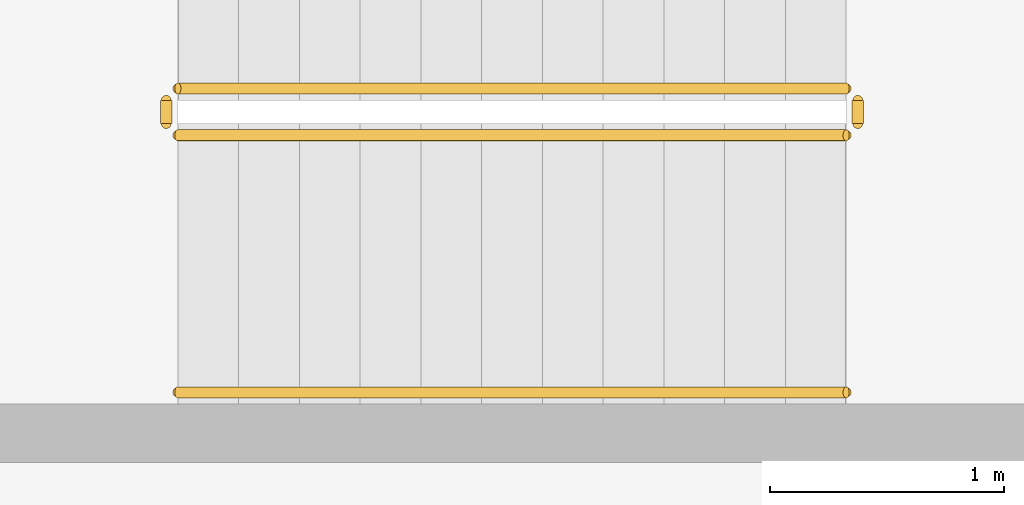
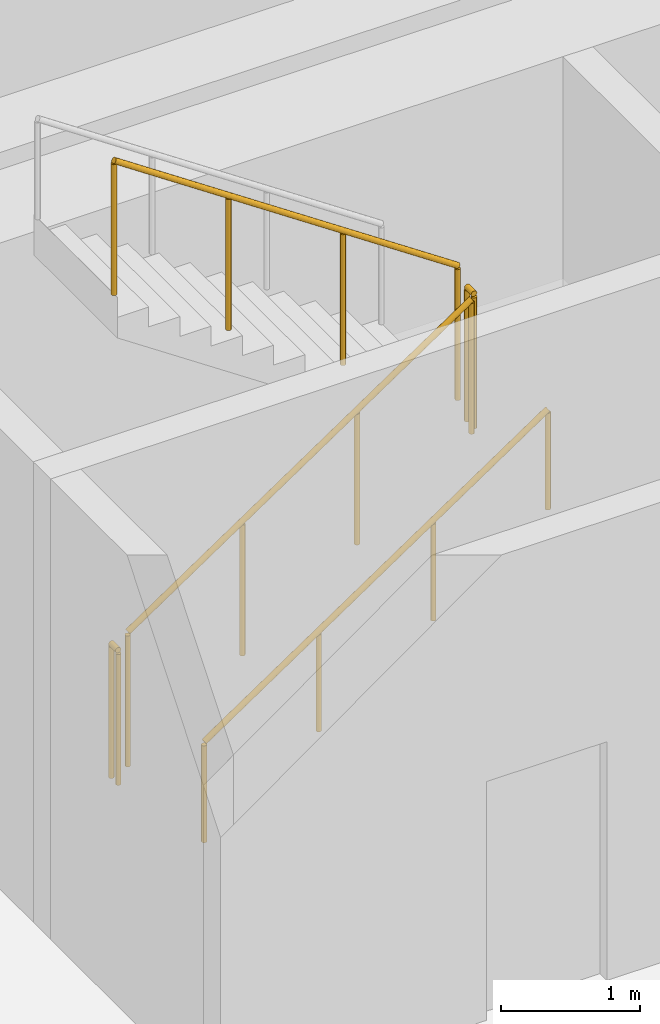
# One storey, part 20 of 24: 5 railings.
"""IFC4 building model written with IfcOpenShell, lengths in metres."""

from ifc_helpers import new_model, si_unit, direction, frame, origin, origin_2d, place, context, subcontext, project, spatial, circle, extrude, material, type_object, element, save


model = new_model("IFC4")

# Units and contexts
model_context = context("Model", 3, precision=1e-05, world=origin(), true_north=direction((0.0, 1.0)))
body_context = subcontext(model_context, "Body", "Model", "MODEL_VIEW")
ifc_project = project(units=[si_unit("LENGTHUNIT", "METRE"), si_unit("AREAUNIT", "SQUARE_METRE"), si_unit("VOLUMEUNIT", "CUBIC_METRE"), si_unit("PLANEANGLEUNIT", "RADIAN"), si_unit("MASSUNIT", "GRAM", prefix="KILO")], contexts=[model_context])

# Site, building, storey
site_placement = place(None, origin())
site = spatial("IfcSite", under=ifc_project, at=site_placement, CompositionType="ELEMENT")
building_placement = place(site_placement, origin())
building = spatial("IfcBuilding", under=site, at=building_placement, Name="Sahrelin Media Tower", CompositionType="ELEMENT")
storey_placement = place(building_placement, frame((0.0, 0.0, 118.800048828125)))
storey = spatial("IfcBuildingStorey", under=building, at=storey_placement, Name="L23", CompositionType="ELEMENT", Elevation=118.800048828125)

# Railings
ifc_material = material(Name="Steel S355", Category="steel")
railing_type_1 = type_object("IfcRailingType", Name="Stair guard 1200", PredefinedType="GUARDRAIL", material=ifc_material)
railing_1_placement = place(storey_placement, frame((-7.675048828125, 5.25, 0.175048828125)))
element("IfcRailing", 1, at=railing_1_placement, inside=storey, type_object=railing_type_1, Name="L23 ST1 stair guard 1", PredefinedType="GUARDRAIL", context=body_context, shape_type="SweptSolid", body=[
    extrude(circle(Radius=0.02392578125, at=origin_2d()), frame((0.0, 0.0, 1.17578125), z_axis=(0.829623704247, 0.0, 0.558322943601), x_axis=(0.0, 1.0, 0.0)), (0.0, 0.0, 1.0), 3.447509765625),
    extrude(circle(Radius=0.02099609375, at=origin_2d()), origin(), (0.0, 0.0, 1.0), 1.15185546875),
    extrude(circle(Radius=0.02099609375, at=origin_2d()), frame((0.953369140625, 0.0, 0.6416015625)), (0.0, 0.0, 1.0), 1.15185546875),
    extrude(circle(Radius=0.02099609375, at=origin_2d()), frame((1.90673828125, 0.0, 1.283203125)), (0.0, 0.0, 1.0), 1.15185546875),
    extrude(circle(Radius=0.02099609375, at=origin_2d()), frame((2.860107421875, 0.0, 1.9248046875)), (0.0, 0.0, 1.0), 1.15185546875),
])
railing_2_placement = place(storey_placement, frame((-4.764892578125, 5.300048828125, 2.099853515625)))
element("IfcRailing", 2, at=railing_2_placement, inside=storey, type_object=railing_type_1, Name="L23 ST1 stair guard 2", PredefinedType="GUARDRAIL", context=body_context, shape_type="SweptSolid", body=[
    extrude(circle(Radius=0.02392578125, at=origin_2d()), frame((0.0, 0.0, 1.17578125), z_axis=(0.0, 1.0, 0.0), x_axis=(-1.0, 0.0, 0.0)), (0.0, 0.0, 1.0), 0.099853515625),
    extrude(circle(Radius=0.02099609375, at=origin_2d()), origin(), (0.0, 0.0, 1.0), 1.15185546875),
    extrude(circle(Radius=0.02099609375, at=origin_2d()), frame((0.0, 0.099853515625, 0.0)), (0.0, 0.0, 1.0), 1.15185546875),
])
railing_3_placement = place(storey_placement, frame((-4.81494140625, 5.449951171875, 2.27490234375)))
element("IfcRailing", 3, at=railing_3_placement, inside=storey, type_object=railing_type_1, Name="L23 ST1 stair guard 3", PredefinedType="GUARDRAIL", context=body_context, shape_type="SweptSolid", body=[
    extrude(circle(Radius=0.02392578125, at=origin_2d()), frame((0.0, 0.0, 1.17578125), z_axis=(-0.829590901723, 0.0, 0.558371682465), x_axis=(0.0, -1.0, 0.0)), (0.0, 0.0, 1.0), 3.447509765625),
    extrude(circle(Radius=0.02099609375, at=origin_2d()), origin(), (0.0, 0.0, 1.0), 1.15185546875),
    extrude(circle(Radius=0.02099609375, at=origin_2d()), frame((-0.953369140625, 0.0, 0.6416015625)), (0.0, 0.0, 1.0), 1.15185546875),
    extrude(circle(Radius=0.02099609375, at=origin_2d()), frame((-1.90673828125, 0.0, 1.283447265625)), (0.0, 0.0, 1.0), 1.15185546875),
    extrude(circle(Radius=0.02099609375, at=origin_2d()), frame((-2.860107421875, 0.0, 1.925048828125)), (0.0, 0.0, 1.0), 1.15185546875),
])
railing_4_placement = place(storey_placement, frame((-7.72509765625, 5.300048828125, 0.0)))
element("IfcRailing", 4, at=railing_4_placement, inside=storey, type_object=railing_type_1, Name="L23 ST1 stair guard 4", PredefinedType="GUARDRAIL", context=body_context, shape_type="SweptSolid", body=[
    extrude(circle(Radius=0.02392578125, at=origin_2d()), frame((0.0, 0.0, 1.17578125), z_axis=(0.0, 1.0, 0.0), x_axis=(-1.0, 0.0, 0.0)), (0.0, 0.0, 1.0), 0.099853515625),
    extrude(circle(Radius=0.02099609375, at=origin_2d()), origin(), (0.0, 0.0, 1.0), 1.15185546875),
    extrude(circle(Radius=0.02099609375, at=origin_2d()), frame((0.0, 0.099853515625, 0.0)), (0.0, 0.0, 1.0), 1.15185546875),
])
railing_type_2 = type_object("IfcRailingType", Name="Stair handrail 900", PredefinedType="HANDRAIL", material=ifc_material)
railing_5_placement = place(storey_placement, frame((-7.675048828125, 4.14990234375, 0.175048828125)))
element("IfcRailing", 5, at=railing_5_placement, inside=storey, type_object=railing_type_2, Name="L23 ST1 stair handrail 1", PredefinedType="HANDRAIL", context=body_context, shape_type="SweptSolid", body=[
    extrude(circle(Radius=0.02392578125, at=origin_2d()), frame((0.0, 0.0, 0.8759765625), z_axis=(0.829623704247, 0.0, 0.558322943601), x_axis=(0.0, 1.0, 0.0)), (0.0, 0.0, 1.0), 3.447509765625),
    extrude(circle(Radius=0.02099609375, at=origin_2d()), origin(), (0.0, 0.0, 1.0), 0.851806640625),
    extrude(circle(Radius=0.02099609375, at=origin_2d()), frame((0.953369140625, 0.0, 0.6416015625)), (0.0, 0.0, 1.0), 0.851806640625),
    extrude(circle(Radius=0.02099609375, at=origin_2d()), frame((1.90673828125, 0.0, 1.283203125)), (0.0, 0.0, 1.0), 0.851806640625),
    extrude(circle(Radius=0.02099609375, at=origin_2d()), frame((2.860107421875, 0.0, 1.9248046875)), (0.0, 0.0, 1.0), 0.851806640625),
])

save(model, "model.ifc")
